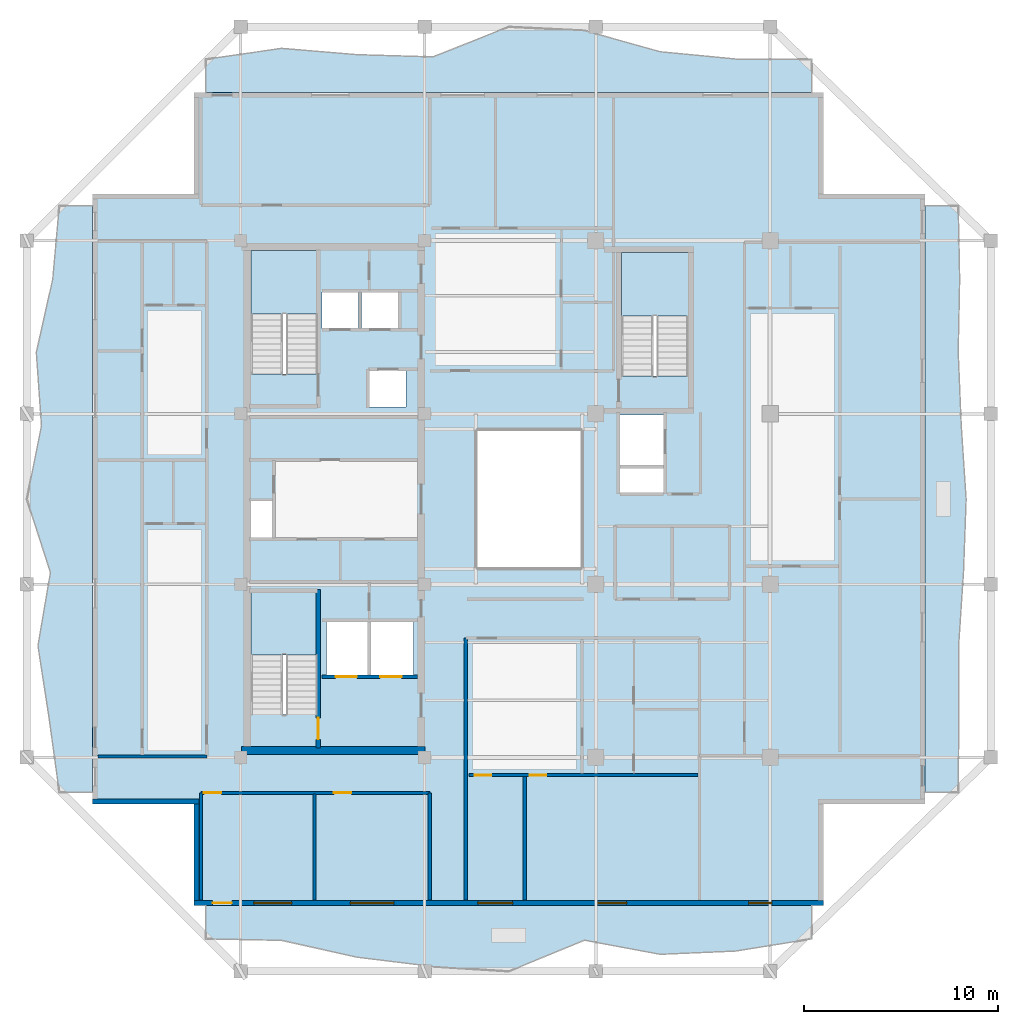
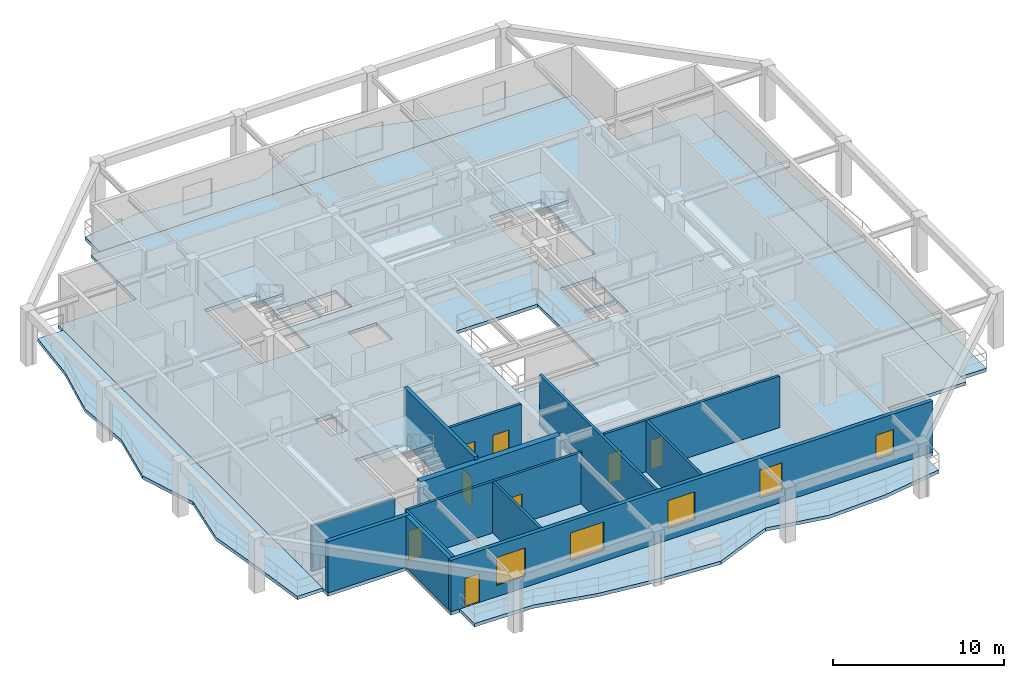
# One storey, part 2 of 11: 14 walls, 8 doors, 8 slabs, 5 windows, 13 openings, 3 elements without a shape of their own.
"""IFC4 building model written with IfcOpenShell, lengths in metres."""

import ifcopenshell
import ifcopenshell.guid

model = None  # the IFC model being written
_history = None  # IfcOwnerHistory: only IFC2X3 demands one
_inside = {}  # id of a spatial element -> (the spatial element, [elements in it])
_under = {}  # id of a project, library or spatial element -> (it, [spatial elements below it])
_declared = {}  # id of a project -> (the project, [libraries it declares])
_typed = {}  # id of a type object -> (the type object, [elements of that type])
_made_of = {}  # id of a material, layer set ... -> (it, [elements and type objects made of it])


def new_model(schema):
    """Start an empty IFC model of exactly this schema.

    Asked for "IFC4X3", IfcOpenShell would pick the latest addendum, in which some entities
    have other attributes; the version numbers below select the first issue.
    IFC2X3 requires an IfcOwnerHistory on every rooted entity: one is made here for all.
    """
    global model, _history
    if schema == "IFC4X3":
        model = ifcopenshell.file(schema_version=(4, 3, 0, 0))
    else:
        model = ifcopenshell.file(schema=schema)
    _inside.clear()
    _under.clear()
    _declared.clear()
    _typed.clear()
    _made_of.clear()
    _history = None
    if model.schema == "IFC2X3":
        org = make("IfcOrganization", Name="unknown")
        user = make(
            "IfcPersonAndOrganization",
            ThePerson=make("IfcPerson", FamilyName="unknown"),
            TheOrganization=org,
        )
        app = make(
            "IfcApplication",
            ApplicationDeveloper=org,
            Version="unknown",
            ApplicationFullName="unknown",
            ApplicationIdentifier="unknown",
        )
        _history = make(
            "IfcOwnerHistory",
            OwningUser=user,
            OwningApplication=app,
            ChangeAction="ADDED",
            CreationDate=0,
        )
    return model


def make(cls, **values):
    """One entity of the class cls with the attributes given. An attribute that is None is left unset."""
    return model.create_entity(
        cls, **{name: value for name, value in values.items() if value is not None}
    )


def rooted(cls, **values):
    """An entity with a GlobalId (a new one), such as an element, a storey or a relation."""
    return make(cls, GlobalId=ifcopenshell.guid.new(), OwnerHistory=_history, **values)


def si_unit(unit_type, name, prefix=None):
    """IfcSIUnit, for example si_unit("LENGTHUNIT", "METRE", prefix="MILLI")."""
    return make("IfcSIUnit", UnitType=unit_type, Prefix=prefix, Name=name)


def assignment(units):
    """IfcUnitAssignment: the units of a project."""
    return None if units is None else make("IfcUnitAssignment", Units=units)


def point(xyz):
    """IfcCartesianPoint."""
    return None if xyz is None else make("IfcCartesianPoint", Coordinates=xyz)


def direction(xyz):
    """IfcDirection."""
    return None if xyz is None else make("IfcDirection", DirectionRatios=xyz)


def frame(location, z_axis=None, x_axis=None):
    """IfcAxis2Placement3D, a coordinate frame: its origin and axes. An axis left out is left unset."""
    return make(
        "IfcAxis2Placement3D",
        Location=point(location),
        Axis=direction(z_axis),
        RefDirection=direction(x_axis),
    )


def frame_2d(location, x_axis=None):
    """IfcAxis2Placement2D, a coordinate frame in the plane: its origin and x axis."""
    return make(
        "IfcAxis2Placement2D", Location=point(location), RefDirection=direction(x_axis)
    )


def origin():
    """The frame at (0, 0, 0) with its axes left unset."""
    return frame((0.0, 0.0, 0.0))


def place(relative_to, where):
    """IfcLocalPlacement: puts the frame where relative to a parent placement (None: the world)."""
    return make(
        "IfcLocalPlacement", PlacementRelTo=relative_to, RelativePlacement=where
    )


def context(
    kind, dimensions, precision=None, world=None, true_north=None, identifier=None
):
    """IfcGeometricRepresentationContext, for example the 3D "Model" context."""
    return make(
        "IfcGeometricRepresentationContext",
        ContextIdentifier=identifier,
        ContextType=kind,
        CoordinateSpaceDimension=dimensions,
        Precision=precision,
        WorldCoordinateSystem=world,
        TrueNorth=true_north,
    )


def subcontext(parent, identifier, kind, view, scale=None):
    """IfcGeometricRepresentationSubContext, for example "Body" below "Model"."""
    return make(
        "IfcGeometricRepresentationSubContext",
        ContextIdentifier=identifier,
        ContextType=kind,
        ParentContext=parent,
        TargetScale=scale,
        TargetView=view,
    )


def project(units=None, contexts=None):
    """IfcProject with its units and contexts."""
    return rooted(
        "IfcProject",
        Name="project",
        RepresentationContexts=contexts,
        UnitsInContext=assignment(units),
    )


def spatial(cls, under=None, at=None, **own):
    """A site, building, storey or space (cls), placed at a placement, below another one or the project."""
    s = rooted(cls, ObjectPlacement=at, **own)
    if under is not None:
        _under.setdefault(under.id(), (under, []))[1].append(s)
    return s


def polyline(points):
    """IfcPolyline through the points."""
    return make("IfcPolyline", Points=[point(p) for p in points])


def profile(cls, at=None, kind="AREA", **sizes):
    """A parametric profile (cls). Its sizes go by their IFC names, for example OverallWidth=200.0."""
    return make(cls, ProfileType=kind, Position=at, **sizes)


def rectangle(**sizes):
    """IfcRectangleProfileDef."""
    return profile("IfcRectangleProfileDef", **sizes)


def outline(outer, holes=None, kind="AREA"):
    """IfcArbitraryClosedProfileDef: a profile drawn as a closed curve; with holes, ...WithVoids."""
    if holes is None:
        return make("IfcArbitraryClosedProfileDef", ProfileType=kind, OuterCurve=outer)
    return make(
        "IfcArbitraryProfileDefWithVoids",
        ProfileType=kind,
        OuterCurve=outer,
        InnerCurves=holes,
    )


def extrude(swept, where, along, depth):
    """IfcExtrudedAreaSolid: the profile swept, set in the frame where, extruded along a direction by depth."""
    return make(
        "IfcExtrudedAreaSolid",
        SweptArea=swept,
        Position=where,
        ExtrudedDirection=direction(along),
        Depth=depth,
    )


def shape(context_of_items, identifier, shape_type, items):
    """IfcShapeRepresentation: the items that make up one representation, for example the "Body"."""
    return make(
        "IfcShapeRepresentation",
        ContextOfItems=context_of_items,
        RepresentationIdentifier=identifier,
        RepresentationType=shape_type,
        Items=items,
    )


def material(Name=None, Category=None):
    """IfcMaterial."""
    return make("IfcMaterial", Name=Name, Category=Category)


def layer(
    of_material, thickness, ventilated=None, Name=None, Category=None, Priority=None
):
    """IfcMaterialLayer: one layer of a wall or slab, of a material (None: an air gap)."""
    return make(
        "IfcMaterialLayer",
        Material=of_material,
        LayerThickness=thickness,
        IsVentilated=ventilated,
        Name=Name,
        Category=Category,
        Priority=Priority,
    )


def layer_set(layers, Name=None):
    """IfcMaterialLayerSet."""
    return make("IfcMaterialLayerSet", MaterialLayers=layers, LayerSetName=Name)


def made_of(thing, what):
    """Note that an element or type object is made of a material, layer set ...; save() writes the relation."""
    if what is not None:
        _made_of.setdefault(what.id(), (what, []))[1].append(thing)
    return thing


def type_object(cls, material=None, **own):
    """A type object (cls), such as IfcWallType, which elements share."""
    return made_of(rooted(cls, **own), material)


def element(
    cls,
    number,
    at=None,
    inside=None,
    cuts=None,
    type_object=None,
    material=None,
    context=None,
    identifier="Body",
    shape_type=None,
    held_by="IfcProductDefinitionShape",
    body=None,
    shapes=None,
    **own,
):
    """One element of the class cls, such as IfcWall. Its Tag is "e" and its number.

    at: its placement. inside: the storey or other place that contains it. cuts: it is an
    opening in that element (IfcRelVoidsElement). A single representation is given by context,
    identifier, shape_type and body (its items); several are given by shapes. held_by: the class
    of the entity that holds the representations. save() writes the other relations.
    """
    e = rooted(cls, Tag="e%d" % number, ObjectPlacement=at, **own)
    if body is not None:
        shapes = [shape(context, identifier, shape_type, body)]
    if shapes is not None:
        e.Representation = make(held_by, Representations=shapes)
    if inside is not None:
        _inside.setdefault(inside.id(), (inside, []))[1].append(e)
    if cuts is not None:
        rooted(
            "IfcRelVoidsElement", RelatingBuildingElement=cuts, RelatedOpeningElement=e
        )
    if type_object is not None:
        _typed.setdefault(type_object.id(), (type_object, []))[1].append(e)
    return made_of(e, material)


def fill(opening, filler):
    """IfcRelFillsElement: the door or window that sits in an opening."""
    return rooted(
        "IfcRelFillsElement",
        RelatingOpeningElement=opening,
        RelatedBuildingElement=filler,
    )


def aggregate(whole, parts):
    """IfcRelAggregates: a whole, such as a stair, and the parts it consists of."""
    return rooted("IfcRelAggregates", RelatingObject=whole, RelatedObjects=parts)


def save(model, path):
    """Write the relations noted so far, then the file.

    IfcRelAggregates (storeys below a building ...), IfcRelContainedInSpatialStructure (elements
    in a storey), IfcRelDefinesByType, IfcRelAssociatesMaterial and IfcRelDeclares: one each for
    every whole, place, type object, material and project.
    """
    for whole, parts in _under.values():
        aggregate(whole, parts)
    for where, things in _inside.values():
        rooted(
            "IfcRelContainedInSpatialStructure",
            RelatedElements=things,
            RelatingStructure=where,
        )
    for kind, things in _typed.values():
        rooted("IfcRelDefinesByType", RelatedObjects=things, RelatingType=kind)
    for what, things in _made_of.values():
        rooted("IfcRelAssociatesMaterial", RelatedObjects=things, RelatingMaterial=what)
    for by, libraries in _declared.values():
        rooted("IfcRelDeclares", RelatingContext=by, RelatedDefinitions=libraries)
    model.write(path)


model = new_model("IFC4")

# Units and contexts
model_context = context("Model", 3, precision=1e-05, world=origin(), true_north=direction((0.0, 1.0)))
body_context = subcontext(model_context, "Body", "Model", "MODEL_VIEW")
ifc_project = project(units=[si_unit("LENGTHUNIT", "METRE"), si_unit("AREAUNIT", "SQUARE_METRE"), si_unit("VOLUMEUNIT", "CUBIC_METRE"), si_unit("PLANEANGLEUNIT", "RADIAN"), si_unit("MASSUNIT", "GRAM", prefix="KILO")], contexts=[model_context])

# Site, building, storey
site_placement = place(None, origin())
site = spatial("IfcSite", under=ifc_project, at=site_placement, CompositionType="ELEMENT")
building_placement = place(site_placement, origin())
building = spatial("IfcBuilding", under=site, at=building_placement, Name="Kundavana Baori Tower", CompositionType="ELEMENT")
storey_placement = place(building_placement, frame((0.0, 0.0, 249.199951171875)))
storey = spatial("IfcBuildingStorey", under=building, at=storey_placement, Name="L61", CompositionType="ELEMENT", Elevation=249.199951171875)

# Slab
ifc_material_1 = material(Name="Concrete C40/50", Category="concrete")
ifc_layer_1 = layer(ifc_material_1, 0.239990234375, Name="SLB-FLR-240")
ifc_layer_set_1 = layer_set([ifc_layer_1], Name="Concrete C40/50")
slab_type_1 = type_object("IfcSlabType", Name="SLB-FLR-240", PredefinedType="FLOOR", material=ifc_layer_set_1)
slab_1_placement = place(storey_placement, frame((0.0, 0.0, -0.239990234375)))
element("IfcSlab", 1, at=slab_1_placement, inside=storey, type_object=slab_type_1, Name="L61 Structural Floor Slab", PredefinedType="FLOOR", context=body_context, shape_type="SweptSolid", body=[
    extrude(outline(polyline([(13.050048828125, 7.60009765625), (45.550048828125, 7.60009765625), (45.550048828125, 12.85009765625), (50.800048828125, 12.85009765625), (50.800048828125, 44.35009765625), (45.550048828125, 44.35009765625), (45.550048828125, 49.60009765625), (13.050048828125, 49.60009765625), (13.050048828125, 44.35009765625), (7.800048828125, 44.35009765625), (7.800048828125, 12.85009765625), (13.050048828125, 12.85009765625), (13.050048828125, 7.60009765625)]), holes=[polyline([(19.43994140625, 17.4619140625), (19.43994140625, 23.85009765625), (15.97998046875, 23.85009765625), (15.97998046875, 17.4619140625), (19.43994140625, 17.4619140625)]), polyline([(19.43994140625, 35.06201171875), (19.43994140625, 41.449951171875), (15.97998046875, 41.449951171875), (15.97998046875, 35.06201171875), (19.43994140625, 35.06201171875)]), polyline([(38.580078125, 34.9619140625), (38.580078125, 41.35009765625), (35.1201171875, 41.35009765625), (35.1201171875, 34.9619140625), (38.580078125, 34.9619140625)]), polyline([(19.64990234375, 37.39990234375), (21.550048828125, 37.39990234375), (21.550048828125, 39.300048828125), (19.64990234375, 39.300048828125), (19.64990234375, 37.39990234375)]), polyline([(21.699951171875, 37.39990234375), (23.60009765625, 37.39990234375), (23.60009765625, 39.300048828125), (21.699951171875, 39.300048828125), (21.699951171875, 37.39990234375)]), polyline([(22.10009765625, 33.35009765625), (24.0, 33.35009765625), (24.0, 35.25), (22.10009765625, 35.25), (22.10009765625, 33.35009765625)]), polyline([(19.8798828125, 19.5), (22.02001953125, 19.5), (22.02001953125, 22.25), (19.8798828125, 22.25), (19.8798828125, 19.5)]), polyline([(22.179931640625, 19.5), (24.3798828125, 19.5), (24.3798828125, 22.25), (22.179931640625, 22.25), (22.179931640625, 19.5)]), polyline([(35.050048828125, 30.35009765625), (37.300048828125, 30.35009765625), (37.300048828125, 32.949951171875), (35.050048828125, 32.949951171875), (35.050048828125, 30.35009765625)]), polyline([(15.949951171875, 26.60009765625), (17.080078125, 26.60009765625), (17.080078125, 28.5), (15.949951171875, 28.5), (15.949951171875, 26.60009765625)]), polyline([(35.050048828125, 28.949951171875), (37.300048828125, 28.949951171875), (37.300048828125, 30.199951171875), (35.050048828125, 30.199951171875), (35.050048828125, 28.949951171875)]), polyline([(27.60009765625, 25.0), (33.10009765625, 25.0), (33.10009765625, 32.199951171875), (27.60009765625, 32.199951171875), (27.60009765625, 25.0)])]), origin(), (0.0, 0.0, 1.0), 0.239990234375),
])

# Stair, slab
ifc_material_2 = material(Name="Concrete C40/50", Category="concrete")
stair_type = type_object("IfcStairType", Name="STR-DOG-1650", PredefinedType="HALF_TURN_STAIR", material=ifc_material_2)
stair_1_placement = place(storey_placement, origin())
stair_1 = element("IfcStair", 2, at=stair_1_placement, inside=storey, type_object=stair_type, Name="L61 Protected Exit Stair ST1", PredefinedType="HALF_TURN_STAIR")
ifc_material_3 = material(Name="Concrete C40/50", Category="concrete")
ifc_layer_2 = layer(ifc_material_3, 0.199951171875, Name="SLB-LND-200")
ifc_layer_set_2 = layer_set([ifc_layer_2], Name="Concrete C40/50")
slab_type_2 = type_object("IfcSlabType", Name="SLB-LND-200", PredefinedType="LANDING", material=ifc_layer_set_2)
slab_2_placement = place(storey_placement, frame((0.0, 0.0, 1.75)))
slab_2 = element("IfcSlab", 3, at=slab_2_placement, type_object=slab_type_2, Name="ST1 landing 1", PredefinedType="LANDING", context=body_context, shape_type="SweptSolid", body=[
    extrude(outline(polyline([(19.43994140625, 20.550048828125), (19.43994140625, 23.85009765625), (15.97998046875, 23.85009765625), (15.97998046875, 20.550048828125), (19.43994140625, 20.550048828125)])), origin(), (0.0, 0.0, 1.0), 0.199951171875),
])
aggregate(stair_1, [slab_2])

stair_2_placement = place(storey_placement, origin())
stair_2 = element("IfcStair", 4, at=stair_2_placement, inside=storey, type_object=stair_type, Name="L61 Protected Exit Stair ST2", PredefinedType="HALF_TURN_STAIR")
slab_3_placement = place(storey_placement, frame((0.0, 0.0, 1.75)))
slab_3 = element("IfcSlab", 5, at=slab_3_placement, type_object=slab_type_2, Name="ST2 landing 1", PredefinedType="LANDING", context=body_context, shape_type="SweptSolid", body=[
    extrude(outline(polyline([(19.43994140625, 38.14990234375), (19.43994140625, 41.449951171875), (15.97998046875, 41.449951171875), (15.97998046875, 38.14990234375), (19.43994140625, 38.14990234375)])), origin(), (0.0, 0.0, 1.0), 0.199951171875),
])
aggregate(stair_2, [slab_3])

stair_3_placement = place(storey_placement, origin())
stair_3 = element("IfcStair", 6, at=stair_3_placement, inside=storey, type_object=stair_type, Name="L61 Protected Exit Stair ST3", PredefinedType="HALF_TURN_STAIR")
slab_4_placement = place(storey_placement, frame((0.0, 0.0, 1.75)))
slab_4 = element("IfcSlab", 7, at=slab_4_placement, type_object=slab_type_2, Name="ST3 landing 1", PredefinedType="LANDING", context=body_context, shape_type="SweptSolid", body=[
    extrude(outline(polyline([(38.580078125, 38.050048828125), (38.580078125, 41.35009765625), (35.1201171875, 41.35009765625), (35.1201171875, 38.050048828125), (38.580078125, 38.050048828125)])), origin(), (0.0, 0.0, 1.0), 0.199951171875),
])
aggregate(stair_3, [slab_4])

# Slabs
ifc_material_4 = material(Name="Concrete C40/50", Category="concrete")
ifc_layer_3 = layer(ifc_material_4, 0.239990234375, Name="SLB-LOG-240")
ifc_layer_set_3 = layer_set([ifc_layer_3], Name="Concrete C40/50")
slab_type_3 = type_object("IfcSlabType", Name="SLB-LOG-240", PredefinedType="FLOOR", material=ifc_layer_set_3)
slab_5_placement = place(storey_placement, frame((0.0, 0.0, -0.239990234375)))
element("IfcSlab", 8, at=slab_5_placement, inside=storey, type_object=slab_type_3, Name="L61 Planted Loggia Balcony Slab S", PredefinedType="FLOOR", context=body_context, shape_type="SweptSolid", body=[
    extrude(outline(polyline([(13.64990234375, 7.60009765625), (44.949951171875, 7.60009765625), (44.949951171875, 5.8798828125), (41.0380859375, 5.25), (37.125, 5.080078125), (33.212890625, 5.81103515625), (29.300048828125, 4.199951171875), (25.387939453125, 4.450927734375), (21.47509765625, 4.929931640625), (17.56201171875, 5.802001953125), (13.64990234375, 5.8798828125), (13.64990234375, 7.60009765625)])), origin(), (0.0, 0.0, 1.0), 0.239990234375),
])
slab_6_placement = place(storey_placement, frame((0.0, 0.0, -0.239990234375)))
element("IfcSlab", 9, at=slab_6_placement, inside=storey, type_object=slab_type_3, Name="L61 Planted Loggia Balcony Slab E", PredefinedType="FLOOR", context=body_context, shape_type="SweptSolid", body=[
    extrude(outline(polyline([(50.800048828125, 13.449951171875), (50.800048828125, 43.75), (52.52001953125, 43.75), (52.595947265625, 39.9619140625), (52.52001953125, 36.175048828125), (52.677978515625, 32.387939453125), (52.929931640625, 28.60009765625), (52.7939453125, 24.81201171875), (52.5419921875, 21.02490234375), (52.551025390625, 17.238037109375), (52.52001953125, 13.449951171875), (50.800048828125, 13.449951171875)])), origin(), (0.0, 0.0, 1.0), 0.239990234375),
])
slab_7_placement = place(storey_placement, frame((0.0, 0.0, -0.239990234375)))
element("IfcSlab", 10, at=slab_7_placement, inside=storey, type_object=slab_type_3, Name="L61 Planted Loggia Balcony Slab N", PredefinedType="FLOOR", context=body_context, shape_type="SweptSolid", body=[
    extrude(outline(polyline([(44.949951171875, 49.60009765625), (13.64990234375, 49.60009765625), (13.64990234375, 51.320068359375), (17.56201171875, 51.884033203125), (21.47509765625, 51.55810546875), (25.387939453125, 51.443115234375), (29.300048828125, 53.0), (33.212890625, 52.802978515625), (37.125, 51.7080078125), (41.0380859375, 51.3330078125), (44.949951171875, 51.320068359375), (44.949951171875, 49.60009765625)])), origin(), (0.0, 0.0, 1.0), 0.239990234375),
])
slab_8_placement = place(storey_placement, frame((0.0, 0.0, -0.239990234375)))
element("IfcSlab", 11, at=slab_8_placement, inside=storey, type_object=slab_type_3, Name="L61 Planted Loggia Balcony Slab W", PredefinedType="FLOOR", context=body_context, shape_type="SweptSolid", body=[
    extrude(outline(polyline([(7.800048828125, 43.75), (7.800048828125, 13.449951171875), (6.080078125, 13.449951171875), (5.56005859375, 17.238037109375), (4.97802734375, 21.02490234375), (5.625, 24.81201171875), (4.39990234375, 28.60009765625), (5.159912109375, 32.387939453125), (4.89306640625, 36.175048828125), (5.741943359375, 39.9619140625), (6.080078125, 43.75), (7.800048828125, 43.75)])), origin(), (0.0, 0.0, 1.0), 0.239990234375),
])

# Wall
ifc_material_5 = material(Name="Concrete C50/60", Category="concrete")
ifc_layer_4 = layer(ifc_material_5, 0.39990234375, Name="WL-CORE-400")
ifc_layer_set_4 = layer_set([ifc_layer_4], Name="Concrete C50/60")
wall_type_1 = type_object("IfcWallType", Name="WL-CORE-400", PredefinedType="SHEAR", material=ifc_layer_set_4)
wall_1_placement = place(storey_placement, frame((15.5, 15.610107421875, 0.0), z_axis=(0.0, 0.0, 1.0), x_axis=(1.0, 0.0, 0.0)))
element("IfcWall", 12, at=wall_1_placement, inside=storey, type_object=wall_type_1, Name="L61 Offset Core South Shear Wall", PredefinedType="SHEAR", context=body_context, shape_type="SweptSolid", body=[
    extrude(rectangle(XDim=9.47998046875, YDim=0.39990234375, at=frame_2d((4.739990234375, 0.0))), origin(), (0.0, 0.0, 1.0), 3.66015625),
])

# Wall, opening, door
wall_2_placement = place(storey_placement, frame((19.4599609375, 15.739990234375, 0.0), z_axis=(0.0, 0.0, 1.0), x_axis=(0.0, 1.0, 0.0)))
wall_2 = element("IfcWall", 13, at=wall_2_placement, inside=storey, type_object=wall_type_1, Name="WL-L61-ST1-E", PredefinedType="SHEAR", context=body_context, shape_type="SweptSolid", body=[
    extrude(rectangle(XDim=8.199951171875, YDim=0.239990234375, at=frame_2d((4.10009765625, 0.0))), origin(), (0.0, 0.0, 1.0), 3.900146484375),
])
opening_1_placement = place(wall_2_placement, frame((0.449951171875, 0.0, 0.0)))
opening_1 = element("IfcOpeningElement", 14, at=opening_1_placement, cuts=wall_2, Name="Opening FD-110", PredefinedType="OPENING", context=body_context, shape_type="SweptSolid", body=[
    extrude(rectangle(XDim=1.10009765625, YDim=2.10009765625, at=frame_2d((0.550048828125, 1.050048828125))), frame((0.0, 0.1298828125, 0.0), z_axis=(0.0, -1.0, 0.0), x_axis=(1.0, 0.0, 0.0)), (0.0, 0.0, 1.0), 0.260009765625),
])
ifc_material_6 = material(Name="Galvanised Steel Fire-Rated Door Leaf", Category="steel")
door_type_1 = type_object("IfcDoorType", Name="DR-FD120-1100", OperationType="NOTDEFINED", PredefinedType="DOOR", material=ifc_material_6)
door_1_placement = place(opening_1_placement, origin())
door_1 = element("IfcDoor", 15, at=door_1_placement, inside=storey, type_object=door_type_1, Name="DR-L61-ST1", OperationType="SINGLE_SWING_LEFT", OverallHeight=2.10009765625, OverallWidth=1.10009765625, PredefinedType="DOOR", context=body_context, shape_type="SweptSolid", body=[
    extrude(rectangle(XDim=1.10009765625, YDim=2.10009765625, at=frame_2d((0.550048828125, 1.050048828125))), frame((0.0, 0.02490234375, 0.0), z_axis=(0.0, -1.0, 0.0), x_axis=(1.0, 0.0, 0.0)), (0.0, 0.0, 1.0), 0.050048828125),
])
fill(opening_1, door_1)

# Wall, openings, door, windows
ifc_material_7 = material(Name="Kiln-Fired Terracotta Brick-Slip Masonry on Concrete C40/50", Category="masonry")
ifc_layer_5 = layer(ifc_material_7, 0.260009765625, Name="WL-EXT-BRK-260")
ifc_layer_set_5 = layer_set([ifc_layer_5], Name="Kiln-Fired Terracotta Brick-Slip Masonry on Concrete C40/50")
wall_type_2 = type_object("IfcWallType", Name="WL-EXT-BRK-260", PredefinedType="SOLIDWALL", material=ifc_layer_set_5)
wall_3_placement = place(storey_placement, frame((13.050048828125, 7.72998046875, 0.0), z_axis=(0.0, 0.0, 1.0), x_axis=(1.0, 0.0, 0.0)))
wall_3 = element("IfcWall", 16, at=wall_3_placement, inside=storey, type_object=wall_type_2, Name="L61 Exterior Insulated Facade Wall 01", PredefinedType="SOLIDWALL", context=body_context, shape_type="SweptSolid", body=[
    extrude(rectangle(XDim=32.5, YDim=0.260009765625, at=frame_2d((16.25, 0.0))), origin(), (0.0, 0.0, 1.0), 3.66015625),
])
opening_2_placement = place(wall_3_placement, frame((0.949951171875, 0.0, 0.0)))
opening_2 = element("IfcOpeningElement", 17, at=opening_2_placement, cuts=wall_3, Name="Opening BD-1", PredefinedType="OPENING", context=body_context, shape_type="SweptSolid", body=[
    extrude(rectangle(XDim=1.0, YDim=2.050048828125, at=frame_2d((0.5, 1.02490234375))), frame((0.0, 0.14013671875, 0.0), z_axis=(0.0, -1.0, 0.0), x_axis=(1.0, 0.0, 0.0)), (0.0, 0.0, 1.0), 0.280029296875),
])
opening_3_placement = place(wall_3_placement, frame((3.0849609375, 0.0, 0.800048828125)))
opening_3 = element("IfcOpeningElement", 18, at=opening_3_placement, cuts=wall_3, Name="Opening W-09", PredefinedType="OPENING", context=body_context, shape_type="SweptSolid", body=[
    extrude(rectangle(XDim=1.949951171875, YDim=2.0, at=frame_2d((0.97509765625, 1.0))), frame((0.0, 0.14013671875, 0.0), z_axis=(0.0, -1.0, 0.0), x_axis=(1.0, 0.0, 0.0)), (0.0, 0.0, 1.0), 0.280029296875),
])
opening_4_placement = place(wall_3_placement, frame((8.070068359375, 0.0, 0.800048828125)))
opening_4 = element("IfcOpeningElement", 19, at=opening_4_placement, cuts=wall_3, Name="Opening W-10", PredefinedType="OPENING", context=body_context, shape_type="SweptSolid", body=[
    extrude(rectangle(XDim=2.25, YDim=2.0, at=frame_2d((1.125, 1.0))), frame((0.0, 0.14013671875, 0.0), z_axis=(0.0, -1.0, 0.0), x_axis=(1.0, 0.0, 0.0)), (0.0, 0.0, 1.0), 0.280029296875),
])
opening_5_placement = place(wall_3_placement, frame((14.652099609375, 0.0, 0.800048828125)))
opening_5 = element("IfcOpeningElement", 20, at=opening_5_placement, cuts=wall_3, Name="Opening W-01", PredefinedType="OPENING", context=body_context, shape_type="SweptSolid", body=[
    extrude(rectangle(XDim=1.800048828125, YDim=2.0, at=frame_2d((0.89990234375, 1.0))), frame((0.0, 0.14013671875, 0.0), z_axis=(0.0, -1.0, 0.0), x_axis=(1.0, 0.0, 0.0)), (0.0, 0.0, 1.0), 0.280029296875),
])
opening_6_placement = place(wall_3_placement, frame((20.837890625, 0.0, 0.800048828125)))
opening_6 = element("IfcOpeningElement", 21, at=opening_6_placement, cuts=wall_3, Name="Opening W-02", PredefinedType="OPENING", context=body_context, shape_type="SweptSolid", body=[
    extrude(rectangle(XDim=1.5, YDim=2.0, at=frame_2d((0.75, 1.0))), frame((0.0, 0.14013671875, 0.0), z_axis=(0.0, -1.0, 0.0), x_axis=(1.0, 0.0, 0.0)), (0.0, 0.0, 1.0), 0.280029296875),
])
opening_7_placement = place(wall_3_placement, frame((28.64501953125, 0.0, 0.800048828125)))
opening_7 = element("IfcOpeningElement", 22, at=opening_7_placement, cuts=wall_3, Name="Opening W-03", PredefinedType="OPENING", context=body_context, shape_type="SweptSolid", body=[
    extrude(rectangle(XDim=1.199951171875, YDim=1.75, at=frame_2d((0.60009765625, 0.875))), frame((0.0, 0.14013671875, 0.0), z_axis=(0.0, -1.0, 0.0), x_axis=(1.0, 0.0, 0.0)), (0.0, 0.0, 1.0), 0.280029296875),
])
ifc_material_8 = material(Name="Architectural Patinated Bronze Metalwork")
door_type_2 = type_object("IfcDoorType", Name="DR-EXT-LOG-1000", OperationType="NOTDEFINED", PredefinedType="DOOR", material=ifc_material_8)
door_2_placement = place(opening_2_placement, frame((1.0, 0.0, 0.0), z_axis=(0.0, 0.0, 1.0), x_axis=(-1.0, 0.0, 0.0)))
door_2 = element("IfcDoor", 23, at=door_2_placement, inside=storey, type_object=door_type_2, Name="L61 Loggia Balcony Access Door S", OperationType="SINGLE_SWING_LEFT", OverallHeight=2.050048828125, OverallWidth=1.0, PredefinedType="DOOR", context=body_context, shape_type="SweptSolid", body=[
    extrude(rectangle(XDim=1.0, YDim=2.050048828125, at=frame_2d((0.5, 1.02490234375))), frame((0.0, 0.02490234375, 0.0), z_axis=(0.0, -1.0, 0.0), x_axis=(1.0, 0.0, 0.0)), (0.0, 0.0, 1.0), 0.050048828125),
])
fill(opening_2, door_2)
ifc_material_9 = material(Name="Double-Glazed Solar-Control Low-E Insulated Glass", Category="glass")
window_type_1 = type_object("IfcWindowType", Name="WIN-LOG-1200x1750", PartitioningType="SINGLE_PANEL", PredefinedType="WINDOW", material=ifc_material_9)
window_1_placement = place(opening_7_placement, origin())
window_1 = element("IfcWindow", 24, at=window_1_placement, inside=storey, type_object=window_type_1, Name="L61 Recessed Loggia Window S-5", OverallHeight=1.75, OverallWidth=1.199951171875, PartitioningType="SINGLE_PANEL", PredefinedType="WINDOW", context=body_context, shape_type="SweptSolid", body=[
    extrude(rectangle(XDim=1.199951171875, YDim=1.75, at=frame_2d((0.60009765625, 0.875))), frame((0.0, 0.030029296875, 0.0), z_axis=(0.0, -1.0, 0.0), x_axis=(1.0, 0.0, 0.0)), (0.0, 0.0, 1.0), 0.06005859375),
])
fill(opening_7, window_1)
ifc_material_10 = material(Name="Double-Glazed Solar-Control Low-E Insulated Glass", Category="glass")
window_type_2 = type_object("IfcWindowType", Name="WIN-LOG-1500x2000", PartitioningType="SINGLE_PANEL", PredefinedType="WINDOW", material=ifc_material_10)
window_2_placement = place(opening_6_placement, origin())
window_2 = element("IfcWindow", 25, at=window_2_placement, inside=storey, type_object=window_type_2, Name="L61 Recessed Loggia Window S-4", OverallHeight=2.0, OverallWidth=1.5, PartitioningType="SINGLE_PANEL", PredefinedType="WINDOW", context=body_context, shape_type="SweptSolid", body=[
    extrude(rectangle(XDim=1.5, YDim=2.0, at=frame_2d((0.75, 1.0))), frame((0.0, 0.030029296875, 0.0), z_axis=(0.0, -1.0, 0.0), x_axis=(1.0, 0.0, 0.0)), (0.0, 0.0, 1.0), 0.06005859375),
])
fill(opening_6, window_2)
ifc_material_11 = material(Name="Double-Glazed Solar-Control Low-E Insulated Glass", Category="glass")
window_type_3 = type_object("IfcWindowType", Name="WIN-LOG-1800x2000", PartitioningType="SINGLE_PANEL", PredefinedType="WINDOW", material=ifc_material_11)
window_3_placement = place(opening_5_placement, origin())
window_3 = element("IfcWindow", 26, at=window_3_placement, inside=storey, type_object=window_type_3, Name="L61 Recessed Loggia Window S-3", OverallHeight=2.0, OverallWidth=1.800048828125, PartitioningType="SINGLE_PANEL", PredefinedType="WINDOW", context=body_context, shape_type="SweptSolid", body=[
    extrude(rectangle(XDim=1.800048828125, YDim=2.0, at=frame_2d((0.89990234375, 1.0))), frame((0.0, 0.030029296875, 0.0), z_axis=(0.0, -1.0, 0.0), x_axis=(1.0, 0.0, 0.0)), (0.0, 0.0, 1.0), 0.06005859375),
])
fill(opening_5, window_3)
ifc_material_12 = material(Name="Double-Glazed Solar-Control Low-E Insulated Glass", Category="glass")
window_type_4 = type_object("IfcWindowType", Name="WIN-LOG-1950x2000", PartitioningType="SINGLE_PANEL", PredefinedType="WINDOW", material=ifc_material_12)
window_4_placement = place(opening_3_placement, origin())
window_4 = element("IfcWindow", 27, at=window_4_placement, inside=storey, type_object=window_type_4, Name="L61 Recessed Loggia Window S-1", OverallHeight=2.0, OverallWidth=1.949951171875, PartitioningType="SINGLE_PANEL", PredefinedType="WINDOW", context=body_context, shape_type="SweptSolid", body=[
    extrude(rectangle(XDim=1.949951171875, YDim=2.0, at=frame_2d((0.97509765625, 1.0))), frame((0.0, 0.030029296875, 0.0), z_axis=(0.0, -1.0, 0.0), x_axis=(1.0, 0.0, 0.0)), (0.0, 0.0, 1.0), 0.06005859375),
])
fill(opening_3, window_4)
ifc_material_13 = material(Name="Double-Glazed Solar-Control Low-E Insulated Glass", Category="glass")
window_type_5 = type_object("IfcWindowType", Name="WIN-LOG-2250x2000", PartitioningType="SINGLE_PANEL", PredefinedType="WINDOW", material=ifc_material_13)
window_5_placement = place(opening_4_placement, origin())
window_5 = element("IfcWindow", 28, at=window_5_placement, inside=storey, type_object=window_type_5, Name="L61 Recessed Loggia Window S-2", OverallHeight=2.0, OverallWidth=2.25, PartitioningType="SINGLE_PANEL", PredefinedType="WINDOW", context=body_context, shape_type="SweptSolid", body=[
    extrude(rectangle(XDim=2.25, YDim=2.0, at=frame_2d((1.125, 1.0))), frame((0.0, 0.030029296875, 0.0), z_axis=(0.0, -1.0, 0.0), x_axis=(1.0, 0.0, 0.0)), (0.0, 0.0, 1.0), 0.06005859375),
])
fill(opening_4, window_5)

# Walls
wall_4_placement = place(storey_placement, frame((7.800048828125, 12.97998046875, 0.0), z_axis=(0.0, 0.0, 1.0), x_axis=(1.0, 0.0, 0.0)))
element("IfcWall", 29, at=wall_4_placement, inside=storey, type_object=wall_type_2, Name="L61 Exterior Insulated Facade Wall 11", PredefinedType="SOLIDWALL", context=body_context, shape_type="SweptSolid", body=[
    extrude(rectangle(XDim=5.510009765625, YDim=0.260009765625, at=frame_2d((2.7548828125, 0.0))), origin(), (0.0, 0.0, 1.0), 3.66015625),
])
wall_5_placement = place(storey_placement, frame((13.179931640625, 12.85009765625, 0.0), z_axis=(0.0, 0.0, 1.0), x_axis=(0.0, -1.0, 0.0)))
element("IfcWall", 30, at=wall_5_placement, inside=storey, type_object=wall_type_2, Name="L61 Exterior Insulated Facade Wall 12", PredefinedType="SOLIDWALL", context=body_context, shape_type="SweptSolid", body=[
    extrude(rectangle(XDim=4.989990234375, YDim=0.260009765625, at=frame_2d((2.4951171875, 0.0))), origin(), (0.0, 0.0, 1.0), 3.66015625),
])
ifc_material_14 = material(Name="Fire-Rated Gypsum Drywall on Galvanised Steel Studs", Category="steel")
ifc_layer_6 = layer(ifc_material_14, 0.1650390625, Name="WL-PART-165")
ifc_layer_set_6 = layer_set([ifc_layer_6], Name="Fire-Rated Gypsum Drywall on Galvanised Steel Studs")
wall_type_3 = type_object("IfcWallType", Name="WL-PART-165", PredefinedType="PARTITIONING", material=ifc_layer_set_6)
wall_6_placement = place(storey_placement, frame((27.080078125, 7.8798828125, 0.0), z_axis=(0.0, 0.0, 1.0), x_axis=(0.0, 1.0, 0.0)))
element("IfcWall", 31, at=wall_6_placement, inside=storey, type_object=wall_type_3, Name="WL-L61-RSW", PredefinedType="PARTITIONING", context=body_context, shape_type="SweptSolid", body=[
    extrude(rectangle(XDim=13.5400390625, YDim=0.1650390625, at=frame_2d((6.77001953125, 0.0))), origin(), (0.0, 0.0, 1.0), 3.66015625),
])

# Wall, openings, doors
wall_7_placement = place(storey_placement, frame((13.39990234375, 13.419921875, 0.0), z_axis=(0.0, 0.0, 1.0), x_axis=(1.0, 0.0, 0.0)))
wall_7 = element("IfcWall", 32, at=wall_7_placement, inside=storey, type_object=wall_type_3, Name="WL-L61-RSC", PredefinedType="PARTITIONING", context=body_context, shape_type="SweptSolid", body=[
    extrude(rectangle(XDim=11.820068359375, YDim=0.1650390625, at=frame_2d((5.91015625, 0.0))), origin(), (0.0, 0.0, 1.0), 3.66015625),
])
opening_8_placement = place(wall_7_placement, frame((0.14990234375, 0.0, 0.0)))
opening_8 = element("IfcOpeningElement", 33, at=opening_8_placement, cuts=wall_7, Name="Opening ID-090", PredefinedType="OPENING", context=body_context, shape_type="SweptSolid", body=[
    extrude(rectangle(XDim=0.89990234375, YDim=2.080078125, at=frame_2d((0.449951171875, 1.0400390625))), frame((0.0, 0.092529296875, 0.0), z_axis=(0.0, -1.0, 0.0), x_axis=(1.0, 0.0, 0.0)), (0.0, 0.0, 1.0), 0.18505859375),
])
opening_9_placement = place(wall_7_placement, frame((6.8701171875, 0.0, 0.0)))
opening_9 = element("IfcOpeningElement", 34, at=opening_9_placement, cuts=wall_7, Name="Opening ID-090", PredefinedType="OPENING", context=body_context, shape_type="SweptSolid", body=[
    extrude(rectangle(XDim=0.89990234375, YDim=2.080078125, at=frame_2d((0.449951171875, 1.0400390625))), frame((0.0, 0.092529296875, 0.0), z_axis=(0.0, -1.0, 0.0), x_axis=(1.0, 0.0, 0.0)), (0.0, 0.0, 1.0), 0.18505859375),
])
ifc_material_15 = material(Name="Engineered Teak Solid-Core Timber Veneer", Category="wood")
door_type_3 = type_object("IfcDoorType", Name="DR-INT-900", OperationType="NOTDEFINED", PredefinedType="DOOR", material=ifc_material_15)
door_3_placement = place(opening_8_placement, frame((0.89990234375, 0.0, 0.0), z_axis=(0.0, 0.0, 1.0), x_axis=(-1.0, 0.0, 0.0)))
door_3 = element("IfcDoor", 35, at=door_3_placement, inside=storey, type_object=door_type_3, Name="DR-L61-RMSW1", OperationType="SINGLE_SWING_LEFT", OverallHeight=2.080078125, OverallWidth=0.89990234375, PredefinedType="DOOR", context=body_context, shape_type="SweptSolid", body=[
    extrude(rectangle(XDim=0.89990234375, YDim=2.080078125, at=frame_2d((0.449951171875, 1.0400390625))), frame((0.0, 0.02490234375, 0.0), z_axis=(0.0, -1.0, 0.0), x_axis=(1.0, 0.0, 0.0)), (0.0, 0.0, 1.0), 0.050048828125),
])
fill(opening_8, door_3)
door_4_placement = place(opening_9_placement, frame((0.89990234375, 0.0, 0.0), z_axis=(0.0, 0.0, 1.0), x_axis=(-1.0, 0.0, 0.0)))
door_4 = element("IfcDoor", 36, at=door_4_placement, inside=storey, type_object=door_type_3, Name="DR-L61-RMSW2", OperationType="SINGLE_SWING_RIGHT", OverallHeight=2.080078125, OverallWidth=0.89990234375, PredefinedType="DOOR", context=body_context, shape_type="SweptSolid", body=[
    extrude(rectangle(XDim=0.89990234375, YDim=2.080078125, at=frame_2d((0.449951171875, 1.0400390625))), frame((0.0, 0.02490234375, 0.0), z_axis=(0.0, -1.0, 0.0), x_axis=(1.0, 0.0, 0.0)), (0.0, 0.0, 1.0), 0.050048828125),
])
fill(opening_9, door_4)

# Walls
wall_8_placement = place(storey_placement, frame((13.39990234375, 7.8798828125, 0.0), z_axis=(0.0, 0.0, 1.0), x_axis=(0.0, 1.0, 0.0)))
element("IfcWall", 37, at=wall_8_placement, inside=storey, type_object=wall_type_3, Name="WL-L61-RSCW", PredefinedType="PARTITIONING", context=body_context, shape_type="SweptSolid", body=[
    extrude(rectangle(XDim=5.5400390625, YDim=0.1650390625, at=frame_2d((2.77001953125, 0.0))), origin(), (0.0, 0.0, 1.0), 3.66015625),
])
wall_9_placement = place(storey_placement, frame((25.219970703125, 7.8798828125, 0.0), z_axis=(0.0, 0.0, 1.0), x_axis=(0.0, 1.0, 0.0)))
element("IfcWall", 38, at=wall_9_placement, inside=storey, type_object=wall_type_3, Name="WL-L61-RSCE", PredefinedType="PARTITIONING", context=body_context, shape_type="SweptSolid", body=[
    extrude(rectangle(XDim=5.5400390625, YDim=0.1650390625, at=frame_2d((2.77001953125, 0.0))), origin(), (0.0, 0.0, 1.0), 3.2099609375),
])
wall_10_placement = place(storey_placement, frame((19.27001953125, 7.8798828125, 0.0), z_axis=(0.0, 0.0, 1.0), x_axis=(0.0, 1.0, 0.0)))
element("IfcWall", 39, at=wall_10_placement, inside=storey, type_object=wall_type_3, Name="WL-L61-RSCD", PredefinedType="PARTITIONING", context=body_context, shape_type="SweptSolid", body=[
    extrude(rectangle(XDim=5.480224609375, YDim=0.1650390625, at=frame_2d((2.740234375, 0.0))), origin(), (0.0, 0.0, 1.0), 3.66015625),
])
wall_11_placement = place(storey_placement, frame((8.080078125, 15.300048828125, 0.0), z_axis=(0.0, 0.0, 1.0), x_axis=(1.0, 0.0, 0.0)))
element("IfcWall", 40, at=wall_11_placement, inside=storey, type_object=wall_type_3, Name="WL-L61-RWS", PredefinedType="PARTITIONING", context=body_context, shape_type="SweptSolid", body=[
    extrude(rectangle(XDim=5.619873046875, YDim=0.1650390625, at=frame_2d((2.81005859375, 0.0))), origin(), (0.0, 0.0, 1.0), 3.2099609375),
])

# Wall, openings, doors
wall_12_placement = place(storey_placement, frame((27.239990234375, 14.341064453125, 0.0), z_axis=(0.0, 0.0, 1.0), x_axis=(1.0, 0.0, 0.0)))
wall_12 = element("IfcWall", 41, at=wall_12_placement, inside=storey, type_object=wall_type_3, Name="WL-L61-S1-HZ", PredefinedType="PARTITIONING", context=body_context, shape_type="SweptSolid", body=[
    extrude(rectangle(XDim=11.830078125, YDim=0.1650390625, at=frame_2d((5.9150390625, 0.0))), origin(), (0.0, 0.0, 1.0), 3.66015625),
])
opening_10_placement = place(wall_12_placement, frame((0.300048828125, 0.0, 0.0)))
opening_10 = element("IfcOpeningElement", 42, at=opening_10_placement, cuts=wall_12, Name="Opening ID-085", PredefinedType="OPENING", context=body_context, shape_type="SweptSolid", body=[
    extrude(rectangle(XDim=0.85009765625, YDim=2.080078125, at=frame_2d((0.425048828125, 1.0400390625))), frame((0.0, 0.092529296875, 0.0), z_axis=(0.0, -1.0, 0.0), x_axis=(1.0, 0.0, 0.0)), (0.0, 0.0, 1.0), 0.18505859375),
])
opening_11_placement = place(wall_12_placement, frame((3.135009765625, 0.0, 0.0)))
opening_11 = element("IfcOpeningElement", 43, at=opening_11_placement, cuts=wall_12, Name="Opening ID-085", PredefinedType="OPENING", context=body_context, shape_type="SweptSolid", body=[
    extrude(rectangle(XDim=0.85009765625, YDim=2.080078125, at=frame_2d((0.425048828125, 1.0400390625))), frame((0.0, 0.092529296875, 0.0), z_axis=(0.0, -1.0, 0.0), x_axis=(1.0, 0.0, 0.0)), (0.0, 0.0, 1.0), 0.18505859375),
])
ifc_material_16 = material(Name="Engineered Teak Solid-Core Timber Veneer", Category="wood")
door_type_4 = type_object("IfcDoorType", Name="DR-INT-850", OperationType="NOTDEFINED", PredefinedType="DOOR", material=ifc_material_16)
door_5_placement = place(opening_10_placement, frame((0.85009765625, 0.0, 0.0), z_axis=(0.0, 0.0, 1.0), x_axis=(-1.0, 0.0, 0.0)))
door_5 = element("IfcDoor", 44, at=door_5_placement, inside=storey, type_object=door_type_4, Name="DR-L61-S1-B1", OperationType="SINGLE_SWING_LEFT", OverallHeight=2.080078125, OverallWidth=0.85009765625, PredefinedType="DOOR", context=body_context, shape_type="SweptSolid", body=[
    extrude(rectangle(XDim=0.85009765625, YDim=2.080078125, at=frame_2d((0.425048828125, 1.0400390625))), frame((0.0, 0.02490234375, 0.0), z_axis=(0.0, -1.0, 0.0), x_axis=(1.0, 0.0, 0.0)), (0.0, 0.0, 1.0), 0.050048828125),
])
fill(opening_10, door_5)
door_6_placement = place(opening_11_placement, frame((0.85009765625, 0.0, 0.0), z_axis=(0.0, 0.0, 1.0), x_axis=(-1.0, 0.0, 0.0)))
door_6 = element("IfcDoor", 45, at=door_6_placement, inside=storey, type_object=door_type_4, Name="DR-L61-S1-B2", OperationType="SINGLE_SWING_RIGHT", OverallHeight=2.080078125, OverallWidth=0.85009765625, PredefinedType="DOOR", context=body_context, shape_type="SweptSolid", body=[
    extrude(rectangle(XDim=0.85009765625, YDim=2.080078125, at=frame_2d((0.425048828125, 1.0400390625))), frame((0.0, 0.02490234375, 0.0), z_axis=(0.0, -1.0, 0.0), x_axis=(1.0, 0.0, 0.0)), (0.0, 0.0, 1.0), 0.050048828125),
])
fill(opening_11, door_6)

# Wall
wall_13_placement = place(storey_placement, frame((30.125, 7.8798828125, 0.0), z_axis=(0.0, 0.0, 1.0), x_axis=(0.0, 1.0, 0.0)))
element("IfcWall", 46, at=wall_13_placement, inside=storey, type_object=wall_type_3, Name="WL-L61-S1-BDV", PredefinedType="PARTITIONING", context=body_context, shape_type="SweptSolid", body=[
    extrude(rectangle(XDim=6.381103515625, YDim=0.1650390625, at=frame_2d((3.1904296875, 0.0))), origin(), (0.0, 0.0, 1.0), 3.66015625),
])

# Wall, openings, doors
ifc_material_17 = material(Name="Autoclaved Aerated Concrete Blockwork Masonry", Category="masonry")
ifc_layer_7 = layer(ifc_material_17, 0.179931640625, Name="WL-SHAFT-180")
ifc_layer_set_7 = layer_set([ifc_layer_7], Name="Autoclaved Aerated Concrete Blockwork Masonry")
wall_type_4 = type_object("IfcWallType", Name="WL-SHAFT-180", PredefinedType="SOLIDWALL", material=ifc_layer_set_7)
wall_14_placement = place(storey_placement, frame((19.639892578125, 19.419921875, 0.0), z_axis=(0.0, 0.0, 1.0), x_axis=(1.0, 0.0, 0.0)))
wall_14 = element("IfcWall", 47, at=wall_14_placement, inside=storey, type_object=wall_type_4, Name="WL-L61-FFL-S", PredefinedType="SOLIDWALL", context=body_context, shape_type="SweptSolid", body=[
    extrude(rectangle(XDim=4.940185546875, YDim=0.179931640625, at=frame_2d((2.47021484375, 0.0))), origin(), (0.0, 0.0, 1.0), 3.66015625),
])
opening_12_placement = place(wall_14_placement, frame((0.719970703125, 0.0, 0.0)))
opening_12 = element("IfcOpeningElement", 48, at=opening_12_placement, cuts=wall_14, Name="Opening LD-110", PredefinedType="OPENING", context=body_context, shape_type="SweptSolid", body=[
    extrude(rectangle(XDim=1.10009765625, YDim=2.10009765625, at=frame_2d((0.550048828125, 1.050048828125))), frame((0.0, 0.10009765625, 0.0), z_axis=(0.0, -1.0, 0.0), x_axis=(1.0, 0.0, 0.0)), (0.0, 0.0, 1.0), 0.199951171875),
])
opening_13_placement = place(wall_14_placement, frame((3.02001953125, 0.0, 0.0)))
opening_13 = element("IfcOpeningElement", 49, at=opening_13_placement, cuts=wall_14, Name="Opening LD-110", PredefinedType="OPENING", context=body_context, shape_type="SweptSolid", body=[
    extrude(rectangle(XDim=1.10009765625, YDim=2.10009765625, at=frame_2d((0.550048828125, 1.050048828125))), frame((0.0, 0.10009765625, 0.0), z_axis=(0.0, -1.0, 0.0), x_axis=(1.0, 0.0, 0.0)), (0.0, 0.0, 1.0), 0.199951171875),
])
ifc_material_18 = material(Name="Galvanised Steel Fire-Rated Door Leaf", Category="steel")
door_type_5 = type_object("IfcDoorType", Name="DR-SLIDE-LD1100", OperationType="NOTDEFINED", PredefinedType="DOOR", material=ifc_material_18)
door_7_placement = place(opening_12_placement, origin())
door_7 = element("IfcDoor", 50, at=door_7_placement, inside=storey, type_object=door_type_5, Name="DR-L61-LD-FFL-1", OperationType="DOUBLE_DOOR_SLIDING", OverallHeight=2.10009765625, OverallWidth=1.10009765625, PredefinedType="DOOR", context=body_context, shape_type="SweptSolid", body=[
    extrude(rectangle(XDim=1.10009765625, YDim=2.10009765625, at=frame_2d((0.550048828125, 1.050048828125))), frame((0.0, 0.02490234375, 0.0), z_axis=(0.0, -1.0, 0.0), x_axis=(1.0, 0.0, 0.0)), (0.0, 0.0, 1.0), 0.050048828125),
])
fill(opening_12, door_7)
door_8_placement = place(opening_13_placement, origin())
door_8 = element("IfcDoor", 51, at=door_8_placement, inside=storey, type_object=door_type_5, Name="DR-L61-LD-FFL-2", OperationType="DOUBLE_DOOR_SLIDING", OverallHeight=2.10009765625, OverallWidth=1.10009765625, PredefinedType="DOOR", context=body_context, shape_type="SweptSolid", body=[
    extrude(rectangle(XDim=1.10009765625, YDim=2.10009765625, at=frame_2d((0.550048828125, 1.050048828125))), frame((0.0, 0.02490234375, 0.0), z_axis=(0.0, -1.0, 0.0), x_axis=(1.0, 0.0, 0.0)), (0.0, 0.0, 1.0), 0.050048828125),
])
fill(opening_13, door_8)

save(model, "model.ifc")
